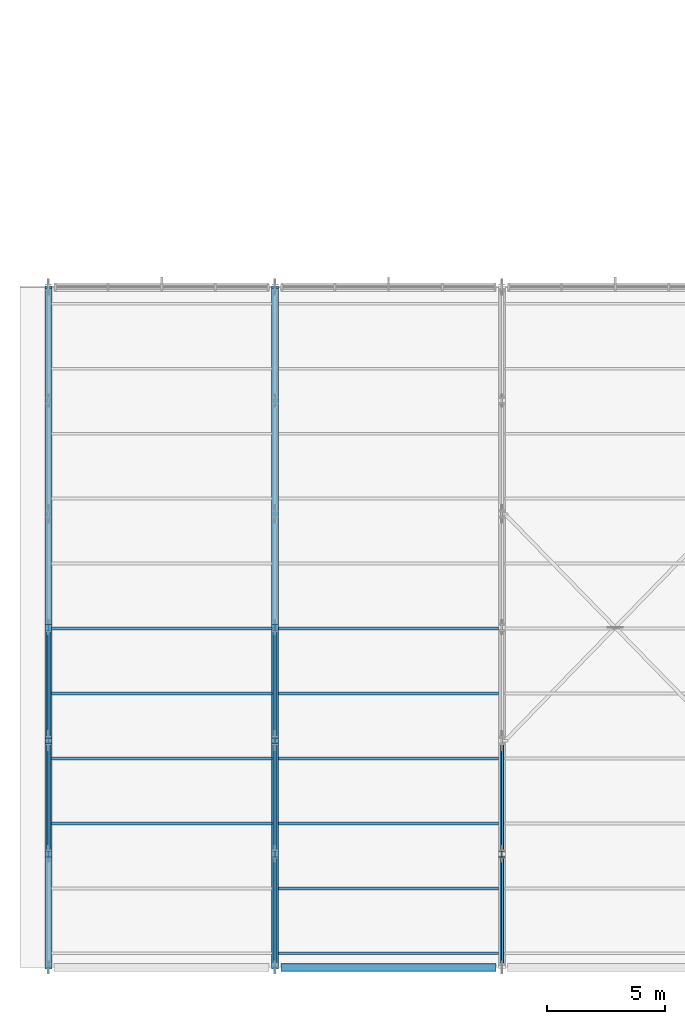
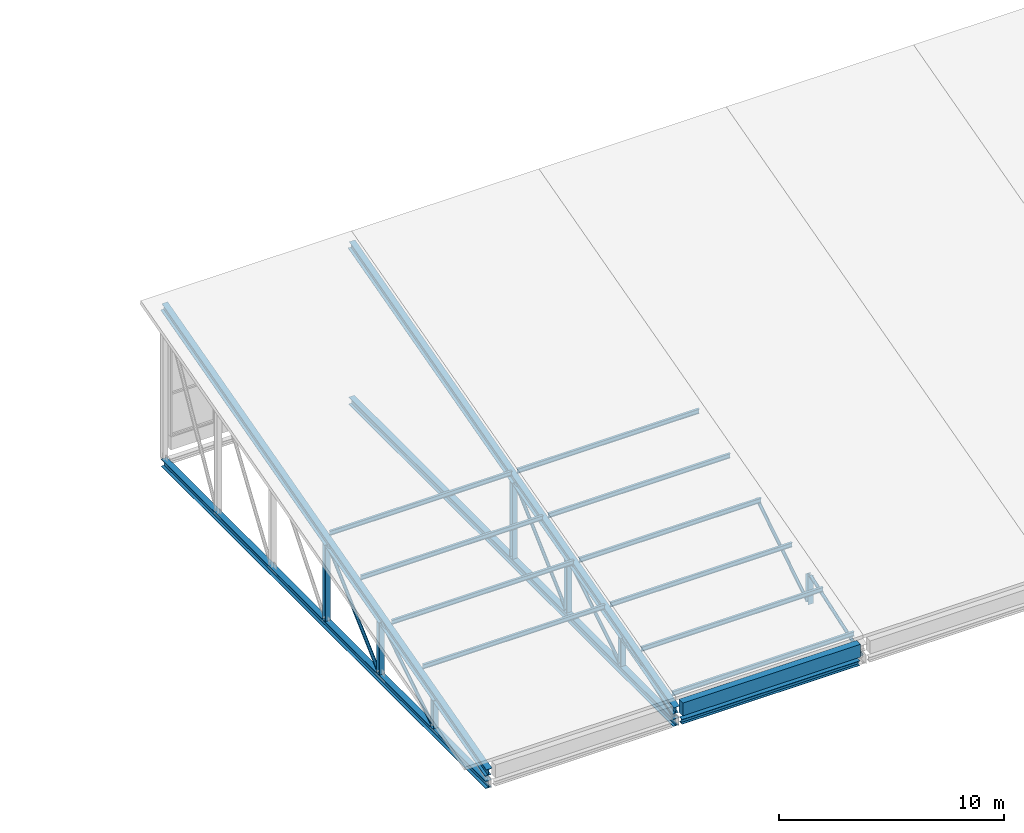
# One storey, part 3 of 57: 25 members, 5 beams.
"""IFC4 building model written with IfcOpenShell, lengths in metres."""

from ifc_helpers import new_model, si_unit, direction, frame, origin, origin_2d, place, context, subcontext, project, spatial, rectangle, hollow_circle, i_section, extrude, material, material_profile, profile_set, type_object, element, save


model = new_model("IFC4")

# Units and contexts
model_context = context("Model", 3, precision=1e-05, world=origin(), true_north=direction((0.0, 1.0)))
body_context = subcontext(model_context, "Body", "Model", "MODEL_VIEW")
ifc_project = project(units=[si_unit("LENGTHUNIT", "METRE"), si_unit("AREAUNIT", "SQUARE_METRE"), si_unit("VOLUMEUNIT", "CUBIC_METRE"), si_unit("PLANEANGLEUNIT", "RADIAN"), si_unit("MASSUNIT", "GRAM", prefix="KILO")], contexts=[model_context])

# Site, building, storey
site_placement = place(None, origin())
site = spatial("IfcSite", under=ifc_project, at=site_placement, CompositionType="ELEMENT")
building_placement = place(site_placement, origin())
building = spatial("IfcBuilding", under=site, at=building_placement, Name="Shalvenor Court Art Gallery", CompositionType="ELEMENT")
storey_placement = place(building_placement, frame((0.0, 0.0, 16.800048828125)))
storey = spatial("IfcBuildingStorey", under=building, at=storey_placement, Name="L03", CompositionType="ELEMENT", Elevation=16.800048828125)

# Members
ifc_material_1 = material(Name="Steel S355", Category="steel")
ifc_material_profile_1 = material_profile(ifc_material_1, i_section(OverallWidth=0.1201171875, OverallDepth=0.239990234375, WebThickness=0.006103515625, FlangeThickness=0.009765625, at=origin_2d()), Name="IPE 240")
ifc_profile_set_1 = profile_set([ifc_material_profile_1], Name="Steel S355")
member_type_1 = type_object("IfcMemberType", Name="PR-02", PredefinedType="PURLIN", material=ifc_profile_set_1)
for number, where, z_axis, x_axis, name in (
    (1, (0.135009765625, 6.10009765625, 1.275634765625), (1.0, 0.0, 0.0), (0.0, 1.0, 0.0), "L03 V4 Roof Purlin 1.3"),
    (2, (0.135009765625, 8.85009765625, 2.0205078125), (1.0, 0.0, 0.0), (0.0, 1.0, 0.0), "L03 V4 Roof Purlin 1.4"),
    (3, (0.135009765625, 11.60009765625, 2.765380859375), (1.0, 0.0, 0.0), (0.0, 1.0, 0.0), "L03 V4 Roof Purlin 1.5"),
    (4, (0.135009765625, 14.35009765625, 3.51025390625), (1.0, 0.0, 0.0), (0.0, 1.0, 0.0), "L03 V4 Roof Purlin 1.6"),
):
    element("IfcMember", number, at=place(storey_placement, frame(where, z_axis=z_axis, x_axis=x_axis)), inside=storey, type_object=member_type_1, Name=name, PredefinedType="PURLIN", context=body_context, shape_type="SweptSolid", body=[
        extrude(i_section(OverallWidth=0.1201171875, OverallDepth=0.239990234375, WebThickness=0.006103515625, FlangeThickness=0.009765625, at=origin_2d()), origin(), (0.0, 0.0, 1.0), 9.330078125),
    ])
for number, where, z_axis, x_axis, name in (
    (5, (9.735107421875, 0.60009765625, -0.2138671875), (1.0, 0.0, 0.0), (0.0, 1.0, 0.0), "L03 V4 Roof Purlin 2.1"),
    (6, (9.735107421875, 3.35009765625, 0.531005859375), (1.0, 0.0, 0.0), (0.0, 1.0, 0.0), "L03 V4 Roof Purlin 2.2"),
    (7, (9.735107421875, 6.10009765625, 1.275634765625), (1.0, 0.0, 0.0), (0.0, 1.0, 0.0), "L03 V4 Roof Purlin 2.3"),
    (8, (9.735107421875, 8.85009765625, 2.0205078125), (1.0, 0.0, 0.0), (0.0, 1.0, 0.0), "L03 V4 Roof Purlin 2.4"),
    (9, (9.735107421875, 11.60009765625, 2.765380859375), (1.0, 0.0, 0.0), (0.0, 1.0, 0.0), "L03 V4 Roof Purlin 2.5"),
    (10, (9.735107421875, 14.35009765625, 3.51025390625), (1.0, 0.0, 0.0), (0.0, 1.0, 0.0), "L03 V4 Roof Purlin 2.6"),
):
    element("IfcMember", number, at=place(storey_placement, frame(where, z_axis=z_axis, x_axis=x_axis)), inside=storey, type_object=member_type_1, Name=name, PredefinedType="PURLIN", context=body_context, shape_type="SweptSolid", body=[
        extrude(i_section(OverallWidth=0.1201171875, OverallDepth=0.239990234375, WebThickness=0.006103515625, FlangeThickness=0.009765625, at=origin_2d()), origin(), (0.0, 0.0, 1.0), 9.329833984375),
    ])

# Beams
ifc_material_2 = material(Name="Concrete C40/50", Category="concrete")
ifc_material_profile_2 = material_profile(ifc_material_2, rectangle(XDim=0.35009765625, YDim=0.699951171875, at=origin_2d()), Name="RC 350x700")
ifc_profile_set_2 = profile_set([ifc_material_profile_2], Name="Concrete C40/50")
beam_type_1 = type_object("IfcBeamType", Name="SP-01", PredefinedType="SPANDREL", material=ifc_profile_set_2)
beam_placement = place(storey_placement, frame((9.85009765625, 0.0, -0.650146484375), z_axis=(1.0, 0.0, 0.0), x_axis=(0.0, 1.0, 0.0)))
element("IfcBeam", 11, at=beam_placement, inside=storey, type_object=beam_type_1, Name="L03 Spandrel Girder BM-L03-SP-01-1041", PredefinedType="SPANDREL", context=body_context, shape_type="SweptSolid", body=[
    extrude(rectangle(XDim=0.35009765625, YDim=0.699951171875, at=origin_2d()), origin(), (0.0, 0.0, 1.0), 9.099853515625),
])
ifc_material_3 = material(Name="Steel S355", Category="steel")
ifc_material_profile_3 = material_profile(ifc_material_3, i_section(OverallWidth=0.300048828125, OverallDepth=0.43994140625, WebThickness=0.011474609375, FlangeThickness=0.02099609375, at=origin_2d()), Name="HEA 450")
ifc_profile_set_3 = profile_set([ifc_material_profile_3], Name="Steel S355")
beam_type_2 = type_object("IfcBeamType", Name="TC-02", PredefinedType="USERDEFINED", material=ifc_profile_set_3)
for number, where, z_axis, x_axis, name in (
    (12, (0.0, 0.0, -0.708251953125), (0.0, 0.965228135416, 0.261408964271), (-1.0, 0.0, 0.0), "TR-V4-01 Roof Truss Continuous Top Chord"),
    (13, (9.60009765625, 0.0, -0.708251953125), (0.0, 0.965228135416, 0.261408964271), (-1.0, 0.0, 0.0), "TR-V4-02 Roof Truss Continuous Top Chord"),
):
    element("IfcBeam", number, at=place(storey_placement, frame(where, z_axis=z_axis, x_axis=x_axis)), inside=storey, type_object=beam_type_2, Name=name, ObjectType="ROOF TRUSS", PredefinedType="USERDEFINED", context=body_context, shape_type="SweptSolid", body=[
        extrude(i_section(OverallWidth=0.300048828125, OverallDepth=0.43994140625, WebThickness=0.011474609375, FlangeThickness=0.02099609375, at=origin_2d()), origin(), (0.0, 0.0, 1.0), 29.837646484375),
    ])
ifc_material_4 = material(Name="Steel S355", Category="steel")
ifc_material_profile_4 = material_profile(ifc_material_4, i_section(OverallWidth=0.300048828125, OverallDepth=0.39990234375, WebThickness=0.013427734375, FlangeThickness=0.02392578125, at=origin_2d()), Name="HEB 400")
ifc_profile_set_4 = profile_set([ifc_material_profile_4], Name="Steel S355")
beam_type_3 = type_object("IfcBeamType", Name="TC-04", PredefinedType="USERDEFINED", material=ifc_profile_set_4)
for number, where, z_axis, x_axis, name in (
    (14, (0.0, 0.0, -1.35009765625), (0.0, 1.0, 0.0), (-1.0, 0.0, 0.0), "TR-V4-01 Roof Truss Continuous Bottom Chord"),
    (15, (9.60009765625, 0.0, -1.35009765625), (0.0, 1.0, 0.0), (-1.0, 0.0, 0.0), "TR-V4-02 Roof Truss Continuous Bottom Chord"),
):
    element("IfcBeam", number, at=place(storey_placement, frame(where, z_axis=z_axis, x_axis=x_axis)), inside=storey, type_object=beam_type_3, Name=name, ObjectType="ROOF TRUSS", PredefinedType="USERDEFINED", context=body_context, shape_type="SweptSolid", body=[
        extrude(i_section(OverallWidth=0.300048828125, OverallDepth=0.39990234375, WebThickness=0.013427734375, FlangeThickness=0.02392578125, at=origin_2d()), origin(), (0.0, 0.0, 1.0), 28.800048828125),
    ])

# Members
ifc_material_5 = material(Name="Steel S355", Category="steel")
ifc_material_profile_5 = material_profile(ifc_material_5, i_section(OverallWidth=0.260009765625, OverallDepth=0.260009765625, WebThickness=0.010009765625, FlangeThickness=0.017578125, at=origin_2d()), Name="HEB 260")
ifc_profile_set_5 = profile_set([ifc_material_profile_5], Name="Steel S355")
member_type_2 = type_object("IfcMemberType", Name="TM-C1", PredefinedType="CHORD", material=ifc_profile_set_5)
member_1_placement = place(storey_placement, frame((9.85009765625, 0.0, -1.35009765625), z_axis=(1.0, 0.0, 0.0), x_axis=(0.0, 1.0, 0.0)))
element("IfcMember", 16, at=member_1_placement, inside=storey, type_object=member_type_2, Name="L03 V4 Eave Truss Chord Tie 2.1", PredefinedType="CHORD", context=body_context, shape_type="SweptSolid", body=[
    extrude(i_section(OverallWidth=0.260009765625, OverallDepth=0.260009765625, WebThickness=0.010009765625, FlangeThickness=0.017578125, at=origin_2d()), origin(), (0.0, 0.0, 1.0), 9.099853515625),
])
ifc_material_6 = material(Name="Steel S355", Category="steel")
ifc_material_profile_6 = material_profile(ifc_material_6, hollow_circle(Radius=0.084228515625, WallThickness=0.008056640625, at=origin_2d()), Name="CHS 168.3x8.0")
ifc_profile_set_6 = profile_set([ifc_material_profile_6], Name="Steel S355")
member_type_3 = type_object("IfcMemberType", Name="TM-D2", PredefinedType="BRACE", material=ifc_profile_set_6)
member_2_placement = place(storey_placement, frame((0.0, 4.93994140625, -1.16015625), z_axis=(0.0, 0.84658238997, 0.532257697918), x_axis=(-1.0, 0.0, 0.0)))
element("IfcMember", 17, at=member_2_placement, inside=storey, type_object=member_type_3, Name="TR-V4-01 Roof Truss Diagonal 2", PredefinedType="BRACE", context=body_context, shape_type="SweptSolid", body=[
    extrude(hollow_circle(Radius=0.084228515625, WallThickness=0.008056640625, at=origin_2d()), origin(), (0.0, 0.0, 1.0), 5.339111328125),
])
member_3_placement = place(storey_placement, frame((0.0, 9.739990234375, -1.16015625), z_axis=(0.0, 0.737276451266, 0.675591174016), x_axis=(-1.0, 0.0, 0.0)))
element("IfcMember", 18, at=member_3_placement, inside=storey, type_object=member_type_3, Name="TR-V4-01 Roof Truss Diagonal 3", PredefinedType="BRACE", context=body_context, shape_type="SweptSolid", body=[
    extrude(hollow_circle(Radius=0.084228515625, WallThickness=0.008056640625, at=origin_2d()), origin(), (0.0, 0.0, 1.0), 6.130615234375),
])
member_4_placement = place(storey_placement, frame((9.60009765625, 0.139892578125, -1.16015625), z_axis=(0.0, 0.946456948747, 0.322830054625), x_axis=(-1.0, 0.0, 0.0)))
element("IfcMember", 19, at=member_4_placement, inside=storey, type_object=member_type_3, Name="TR-V4-02 Roof Truss Diagonal 1", PredefinedType="BRACE", context=body_context, shape_type="SweptSolid", body=[
    extrude(hollow_circle(Radius=0.084228515625, WallThickness=0.008056640625, at=origin_2d()), origin(), (0.0, 0.0, 1.0), 4.775634765625),
])
member_5_placement = place(storey_placement, frame((9.60009765625, 4.93994140625, -1.16015625), z_axis=(0.0, 0.84658238997, 0.532257697918), x_axis=(-1.0, 0.0, 0.0)))
element("IfcMember", 20, at=member_5_placement, inside=storey, type_object=member_type_3, Name="TR-V4-02 Roof Truss Diagonal 2", PredefinedType="BRACE", context=body_context, shape_type="SweptSolid", body=[
    extrude(hollow_circle(Radius=0.084228515625, WallThickness=0.008056640625, at=origin_2d()), origin(), (0.0, 0.0, 1.0), 5.339111328125),
])
member_6_placement = place(storey_placement, frame((9.60009765625, 9.739990234375, -1.16015625), z_axis=(0.0, 0.737276451266, 0.675591174016), x_axis=(-1.0, 0.0, 0.0)))
element("IfcMember", 21, at=member_6_placement, inside=storey, type_object=member_type_3, Name="TR-V4-02 Roof Truss Diagonal 3", PredefinedType="BRACE", context=body_context, shape_type="SweptSolid", body=[
    extrude(hollow_circle(Radius=0.084228515625, WallThickness=0.008056640625, at=origin_2d()), origin(), (0.0, 0.0, 1.0), 6.130615234375),
])
member_7_placement = place(storey_placement, frame((19.199951171875, 0.139892578125, -1.16015625), z_axis=(0.0, 0.946456948747, 0.322830054625), x_axis=(-1.0, 0.0, 0.0)))
element("IfcMember", 22, at=member_7_placement, inside=storey, type_object=member_type_3, Name="TR-V4-03 Roof Truss Diagonal 1", PredefinedType="BRACE", context=body_context, shape_type="SweptSolid", body=[
    extrude(hollow_circle(Radius=0.084228515625, WallThickness=0.008056640625, at=origin_2d()), origin(), (0.0, 0.0, 1.0), 4.775634765625),
])
member_8_placement = place(storey_placement, frame((19.199951171875, 4.93994140625, -1.16015625), z_axis=(0.0, 0.84658238997, 0.532257697918), x_axis=(-1.0, 0.0, 0.0)))
element("IfcMember", 23, at=member_8_placement, inside=storey, type_object=member_type_3, Name="TR-V4-03 Roof Truss Diagonal 2", PredefinedType="BRACE", context=body_context, shape_type="SweptSolid", body=[
    extrude(hollow_circle(Radius=0.084228515625, WallThickness=0.008056640625, at=origin_2d()), origin(), (0.0, 0.0, 1.0), 5.339111328125),
])
ifc_material_7 = material(Name="Steel S355", Category="steel")
ifc_material_profile_7 = material_profile(ifc_material_7, i_section(OverallWidth=0.260009765625, OverallDepth=0.260009765625, WebThickness=0.010009765625, FlangeThickness=0.017578125, at=origin_2d()), Name="HEB 260")
ifc_profile_set_7 = profile_set([ifc_material_profile_7], Name="Steel S355")
member_type_4 = type_object("IfcMemberType", Name="TM-V1", PredefinedType="STRUT", material=ifc_profile_set_7)
member_9_placement = place(storey_placement, frame((0.0, 4.800048828125, -1.155029296875), z_axis=(0.0, 0.0, 1.0), x_axis=(1.0, 0.0, 0.0)))
element("IfcMember", 24, at=member_9_placement, inside=storey, type_object=member_type_4, Name="TR-V4-01 Roof Truss Vertical 2", PredefinedType="STRUT", context=body_context, shape_type="SweptSolid", body=[
    extrude(i_section(OverallWidth=0.260009765625, OverallDepth=0.260009765625, WebThickness=0.010009765625, FlangeThickness=0.017578125, at=origin_2d()), origin(), (0.0, 0.0, 1.0), 1.53173828125),
])
member_10_placement = place(storey_placement, frame((0.0, 9.60009765625, -1.155029296875), z_axis=(0.0, 0.0, 1.0), x_axis=(1.0, 0.0, 0.0)))
element("IfcMember", 25, at=member_10_placement, inside=storey, type_object=member_type_4, Name="TR-V4-01 Roof Truss Vertical 3", PredefinedType="STRUT", context=body_context, shape_type="SweptSolid", body=[
    extrude(i_section(OverallWidth=0.260009765625, OverallDepth=0.260009765625, WebThickness=0.010009765625, FlangeThickness=0.017578125, at=origin_2d()), origin(), (0.0, 0.0, 1.0), 2.831787109375),
])
member_11_placement = place(storey_placement, frame((0.0, 14.39990234375, -1.155029296875), z_axis=(0.0, 0.0, 1.0), x_axis=(1.0, 0.0, 0.0)))
element("IfcMember", 26, at=member_11_placement, inside=storey, type_object=member_type_4, Name="TR-V4-01 Roof Truss Vertical 4", PredefinedType="STRUT", context=body_context, shape_type="SweptSolid", body=[
    extrude(i_section(OverallWidth=0.260009765625, OverallDepth=0.260009765625, WebThickness=0.010009765625, FlangeThickness=0.017578125, at=origin_2d()), origin(), (0.0, 0.0, 1.0), 4.131591796875),
])
member_12_placement = place(storey_placement, frame((9.60009765625, 4.800048828125, -1.155029296875), z_axis=(0.0, 0.0, 1.0), x_axis=(1.0, 0.0, 0.0)))
element("IfcMember", 27, at=member_12_placement, inside=storey, type_object=member_type_4, Name="TR-V4-02 Roof Truss Vertical 2", PredefinedType="STRUT", context=body_context, shape_type="SweptSolid", body=[
    extrude(i_section(OverallWidth=0.260009765625, OverallDepth=0.260009765625, WebThickness=0.010009765625, FlangeThickness=0.017578125, at=origin_2d()), origin(), (0.0, 0.0, 1.0), 1.53173828125),
])
member_13_placement = place(storey_placement, frame((9.60009765625, 9.60009765625, -1.155029296875), z_axis=(0.0, 0.0, 1.0), x_axis=(1.0, 0.0, 0.0)))
element("IfcMember", 28, at=member_13_placement, inside=storey, type_object=member_type_4, Name="TR-V4-02 Roof Truss Vertical 3", PredefinedType="STRUT", context=body_context, shape_type="SweptSolid", body=[
    extrude(i_section(OverallWidth=0.260009765625, OverallDepth=0.260009765625, WebThickness=0.010009765625, FlangeThickness=0.017578125, at=origin_2d()), origin(), (0.0, 0.0, 1.0), 2.831787109375),
])
member_14_placement = place(storey_placement, frame((9.60009765625, 14.39990234375, -1.155029296875), z_axis=(0.0, 0.0, 1.0), x_axis=(1.0, 0.0, 0.0)))
element("IfcMember", 29, at=member_14_placement, inside=storey, type_object=member_type_4, Name="TR-V4-02 Roof Truss Vertical 4", PredefinedType="STRUT", context=body_context, shape_type="SweptSolid", body=[
    extrude(i_section(OverallWidth=0.260009765625, OverallDepth=0.260009765625, WebThickness=0.010009765625, FlangeThickness=0.017578125, at=origin_2d()), origin(), (0.0, 0.0, 1.0), 4.131591796875),
])
member_15_placement = place(storey_placement, frame((19.199951171875, 4.800048828125, -1.155029296875), z_axis=(0.0, 0.0, 1.0), x_axis=(1.0, 0.0, 0.0)))
element("IfcMember", 30, at=member_15_placement, inside=storey, type_object=member_type_4, Name="TR-V4-03 Roof Truss Vertical 2", PredefinedType="STRUT", context=body_context, shape_type="SweptSolid", body=[
    extrude(i_section(OverallWidth=0.260009765625, OverallDepth=0.260009765625, WebThickness=0.010009765625, FlangeThickness=0.017578125, at=origin_2d()), origin(), (0.0, 0.0, 1.0), 1.53173828125),
])

save(model, "model.ifc")
